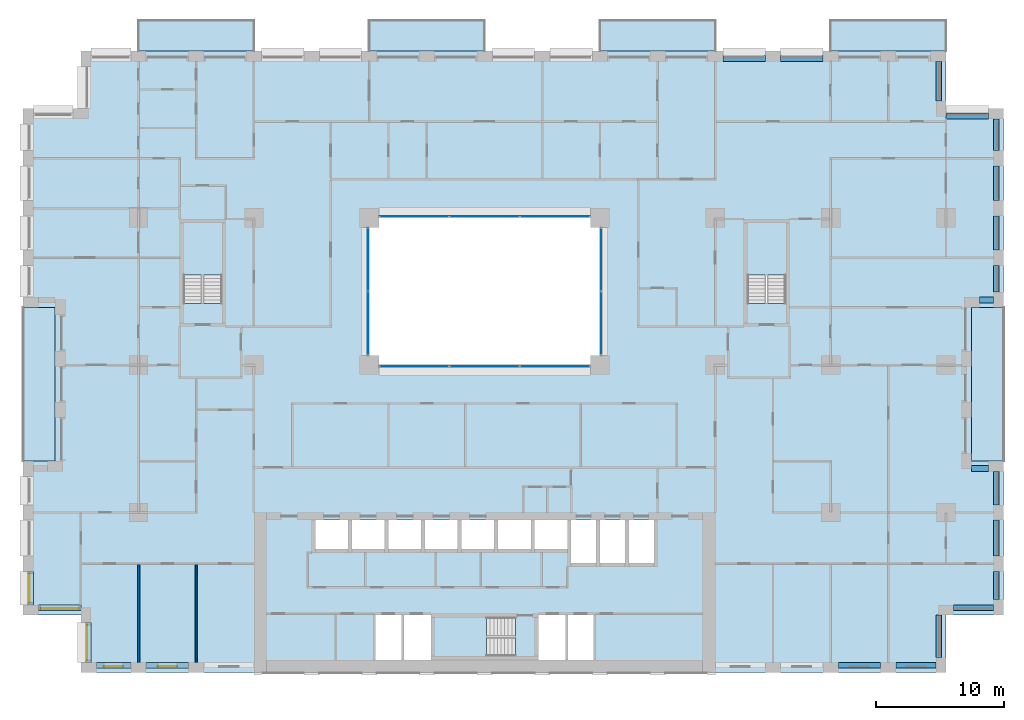
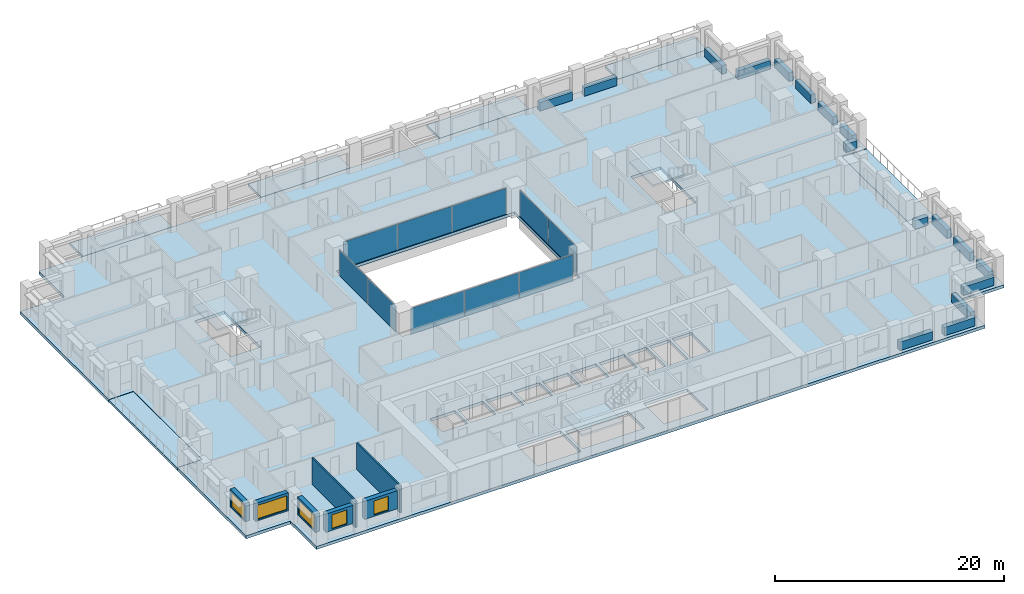
# One storey, part 8 of 19: 17 beams, 10 plates, 10 slabs, 7 walls, 5 windows, 5 openings, 7 elements without a shape of their own.
"""IFC4 building model written with IfcOpenShell, lengths in metres."""

from ifc_helpers import new_model, si_unit, direction, frame, frame_2d, origin, origin_2d, place, context, subcontext, project, spatial, polyline, rectangle, outline, extrude, material, layer, layer_set, material_profile, profile_set, type_object, element, fill, aggregate, save


model = new_model("IFC4")

# Units and contexts
model_context = context("Model", 3, precision=1e-05, world=origin(), true_north=direction((0.0, 1.0)))
body_context = subcontext(model_context, "Body", "Model", "MODEL_VIEW")
ifc_project = project(units=[si_unit("LENGTHUNIT", "METRE"), si_unit("AREAUNIT", "SQUARE_METRE"), si_unit("VOLUMEUNIT", "CUBIC_METRE"), si_unit("PLANEANGLEUNIT", "RADIAN"), si_unit("MASSUNIT", "GRAM", prefix="KILO")], contexts=[model_context])

# Site, building, storey
site_placement = place(None, origin())
site = spatial("IfcSite", under=ifc_project, at=site_placement, CompositionType="ELEMENT")
building_placement = place(site_placement, origin())
building = spatial("IfcBuilding", under=site, at=building_placement, Name="Brigalow Station Residences", CompositionType="ELEMENT")
storey_placement = place(building_placement, frame((0.0, 0.0, 28.949951171875)))
storey = spatial("IfcBuildingStorey", under=building, at=storey_placement, Name="L07", CompositionType="ELEMENT", Elevation=28.949951171875)

# Beams
ifc_material_1 = material(Name="Concrete C65", Category="concrete")
ifc_material_profile = material_profile(ifc_material_1, rectangle(XDim=0.449951171875, YDim=0.89990234375, at=origin_2d()), Name="RC450x900")
ifc_profile_set = profile_set([ifc_material_profile], Name="Concrete C65")
beam_type = type_object("IfcBeamType", Name="SPANDREL BEAM 450x900 C65", PredefinedType="SPANDREL", material=ifc_profile_set)
beam_1_placement = place(storey_placement, frame((63.60009765625, 0.574951171875, 0.449951171875), z_axis=(1.0, 0.0, 0.0), x_axis=(0.0, 1.0, 0.0)))
element("IfcBeam", 1, at=beam_1_placement, inside=storey, type_object=beam_type, Name="L07/spandrel/W-L07-7", PredefinedType="SPANDREL", context=body_context, shape_type="SweptSolid", body=[
    extrude(rectangle(XDim=0.449951171875, YDim=0.89990234375, at=origin_2d()), origin(), (0.0, 0.0, 1.0), 3.2998046875),
])
beam_2_placement = place(storey_placement, frame((68.10009765625, 0.574951171875, 0.449951171875), z_axis=(1.0, 0.0, 0.0), x_axis=(0.0, 1.0, 0.0)))
element("IfcBeam", 2, at=beam_2_placement, inside=storey, type_object=beam_type, Name="L07/spandrel/W-L07-8", PredefinedType="SPANDREL", context=body_context, shape_type="SweptSolid", body=[
    extrude(rectangle(XDim=0.449951171875, YDim=0.89990234375, at=origin_2d()), origin(), (0.0, 0.0, 1.0), 3.099853515625),
])
beam_3_placement = place(storey_placement, frame((71.425048828125, 1.199951171875, 0.449951171875), z_axis=(0.0, 1.0, 0.0), x_axis=(-1.0, 0.0, 0.0)))
element("IfcBeam", 3, at=beam_3_placement, inside=storey, type_object=beam_type, Name="L07/spandrel/W-L07-9", PredefinedType="SPANDREL", context=body_context, shape_type="SweptSolid", body=[
    extrude(rectangle(XDim=0.449951171875, YDim=0.89990234375, at=origin_2d()), origin(), (0.0, 0.0, 1.0), 3.300048828125),
])
beam_4_placement = place(storey_placement, frame((72.60009765625, 5.074951171875, 0.449951171875), z_axis=(1.0, 0.0, 0.0), x_axis=(0.0, 1.0, 0.0)))
element("IfcBeam", 4, at=beam_4_placement, inside=storey, type_object=beam_type, Name="L07/spandrel/W-L07-10", PredefinedType="SPANDREL", context=body_context, shape_type="SweptSolid", body=[
    extrude(rectangle(XDim=0.449951171875, YDim=0.89990234375, at=origin_2d()), origin(), (0.0, 0.0, 1.0), 3.099853515625),
])
beam_5_placement = place(storey_placement, frame((75.925048828125, 5.699951171875, 0.449951171875), z_axis=(0.0, 1.0, 0.0), x_axis=(-1.0, 0.0, 0.0)))
element("IfcBeam", 5, at=beam_5_placement, inside=storey, type_object=beam_type, Name="L07/spandrel/W-L07-11", PredefinedType="SPANDREL", context=body_context, shape_type="SweptSolid", body=[
    extrude(rectangle(XDim=0.449951171875, YDim=0.89990234375, at=origin_2d()), origin(), (0.0, 0.0, 1.0), 2.199951171875),
])
beam_6_placement = place(storey_placement, frame((75.925048828125, 9.10009765625, 0.449951171875), z_axis=(0.0, 1.0, 0.0), x_axis=(-1.0, 0.0, 0.0)))
element("IfcBeam", 6, at=beam_6_placement, inside=storey, type_object=beam_type, Name="L07/spandrel/W-L07-12", PredefinedType="SPANDREL", context=body_context, shape_type="SweptSolid", body=[
    extrude(rectangle(XDim=0.449951171875, YDim=0.89990234375, at=origin_2d()), origin(), (0.0, 0.0, 1.0), 2.7998046875),
])
beam_7_placement = place(storey_placement, frame((75.925048828125, 13.10009765625, 0.449951171875), z_axis=(0.0, 1.0, 0.0), x_axis=(-1.0, 0.0, 0.0)))
element("IfcBeam", 7, at=beam_7_placement, inside=storey, type_object=beam_type, Name="L07/spandrel/W-L07-13", PredefinedType="SPANDREL", context=body_context, shape_type="SweptSolid", body=[
    extrude(rectangle(XDim=0.449951171875, YDim=0.89990234375, at=origin_2d()), origin(), (0.0, 0.0, 1.0), 2.599853515625),
])
beam_8_placement = place(storey_placement, frame((75.300048828125, 15.925048828125, 0.449951171875), z_axis=(-1.0, 0.0, 0.0), x_axis=(0.0, -1.0, 0.0)))
element("IfcBeam", 8, at=beam_8_placement, inside=storey, type_object=beam_type, Name="L07/spandrel/W-L07-14", PredefinedType="SPANDREL", context=body_context, shape_type="SweptSolid", body=[
    extrude(rectangle(XDim=0.449951171875, YDim=0.89990234375, at=origin_2d()), origin(), (0.0, 0.0, 1.0), 1.300048828125),
])
beam_9_placement = place(storey_placement, frame((74.60009765625, 29.074951171875, 0.449951171875), z_axis=(1.0, 0.0, 0.0), x_axis=(0.0, 1.0, 0.0)))
element("IfcBeam", 9, at=beam_9_placement, inside=storey, type_object=beam_type, Name="L07/spandrel/W-L07-18", PredefinedType="SPANDREL", context=body_context, shape_type="SweptSolid", body=[
    extrude(rectangle(XDim=0.449951171875, YDim=0.89990234375, at=origin_2d()), origin(), (0.0, 0.0, 1.0), 1.099853515625),
])
beam_10_placement = place(storey_placement, frame((75.925048828125, 29.699951171875, 0.449951171875), z_axis=(0.0, 1.0, 0.0), x_axis=(-1.0, 0.0, 0.0)))
element("IfcBeam", 10, at=beam_10_placement, inside=storey, type_object=beam_type, Name="L07/spandrel/W-L07-19", PredefinedType="SPANDREL", context=body_context, shape_type="SweptSolid", body=[
    extrude(rectangle(XDim=0.449951171875, YDim=0.89990234375, at=origin_2d()), origin(), (0.0, 0.0, 1.0), 2.074951171875),
])
for number, where, z_axis, x_axis, name in (
    (11, (75.925048828125, 32.97509765625, 0.449951171875), (0.0, 1.0, 0.0), (-1.0, 0.0, 0.0), "L07/spandrel/W-L07-20"),
    (12, (75.925048828125, 36.85009765625, 0.449951171875), (0.0, 1.0, 0.0), (-1.0, 0.0, 0.0), "L07/spandrel/W-L07-21"),
):
    element("IfcBeam", number, at=place(storey_placement, frame(where, z_axis=z_axis, x_axis=x_axis)), inside=storey, type_object=beam_type, Name=name, PredefinedType="SPANDREL", context=body_context, shape_type="SweptSolid", body=[
        extrude(rectangle(XDim=0.449951171875, YDim=0.89990234375, at=origin_2d()), origin(), (0.0, 0.0, 1.0), 2.6748046875),
    ])
beam_11_placement = place(storey_placement, frame((75.925048828125, 40.72509765625, 0.449951171875), z_axis=(0.0, 1.0, 0.0), x_axis=(-1.0, 0.0, 0.0)))
element("IfcBeam", 13, at=beam_11_placement, inside=storey, type_object=beam_type, Name="L07/spandrel/W-L07-22", PredefinedType="SPANDREL", context=body_context, shape_type="SweptSolid", body=[
    extrude(rectangle(XDim=0.449951171875, YDim=0.89990234375, at=origin_2d()), origin(), (0.0, 0.0, 1.0), 2.474853515625),
])
beam_12_placement = place(storey_placement, frame((75.300048828125, 43.425048828125, 0.449951171875), z_axis=(-1.0, 0.0, 0.0), x_axis=(0.0, -1.0, 0.0)))
element("IfcBeam", 14, at=beam_12_placement, inside=storey, type_object=beam_type, Name="L07/spandrel/W-L07-23", PredefinedType="SPANDREL", context=body_context, shape_type="SweptSolid", body=[
    extrude(rectangle(XDim=0.449951171875, YDim=0.89990234375, at=origin_2d()), origin(), (0.0, 0.0, 1.0), 3.300048828125),
])
beam_13_placement = place(storey_placement, frame((71.425048828125, 44.60009765625, 0.449951171875), z_axis=(0.0, 1.0, 0.0), x_axis=(-1.0, 0.0, 0.0)))
element("IfcBeam", 15, at=beam_13_placement, inside=storey, type_object=beam_type, Name="L07/spandrel/W-L07-24", PredefinedType="SPANDREL", context=body_context, shape_type="SweptSolid", body=[
    extrude(rectangle(XDim=0.449951171875, YDim=0.89990234375, at=origin_2d()), origin(), (0.0, 0.0, 1.0), 3.099853515625),
])
for number, where, z_axis, x_axis, name in (
    (16, (62.39990234375, 47.925048828125, 0.449951171875), (-1.0, 0.0, 0.0), (0.0, -1.0, 0.0), "L07/spandrel/W-L07-27"),
    (17, (57.89990234375, 47.925048828125, 0.449951171875), (-1.0, 0.0, 0.0), (0.0, -1.0, 0.0), "L07/spandrel/W-L07-28"),
):
    element("IfcBeam", number, at=place(storey_placement, frame(where, z_axis=z_axis, x_axis=x_axis)), inside=storey, type_object=beam_type, Name=name, PredefinedType="SPANDREL", context=body_context, shape_type="SweptSolid", body=[
        extrude(rectangle(XDim=0.449951171875, YDim=0.89990234375, at=origin_2d()), origin(), (0.0, 0.0, 1.0), 3.2998046875),
    ])

# Curtain wall, plates
ifc_material_2 = material(Name="Aluminium", Category="aluminium")
ifc_layer_1 = layer(ifc_material_2, 0.14990234375)
ifc_layer_set_1 = layer_set([ifc_layer_1], Name="ATRIUM FIRE-RATED GLAZING CURTAIN WALL")
curtain_wall_type = type_object("IfcCurtainWallType", Name="ATRIUM FIRE-RATED GLAZING CURTAIN WALL", PredefinedType="NOTDEFINED", material=ifc_layer_set_1)
curtain_wall_1_placement = place(storey_placement, origin())
curtain_wall_1 = element("IfcCurtainWall", 18, at=curtain_wall_1_placement, inside=storey, type_object=curtain_wall_type, Name="L07/cw/atrium-S", PredefinedType="NOTDEFINED")
ifc_material_3 = material(Name="Fire-resisting laminated glazing, FRL -/60/-", Category="glass")
ifc_layer_2 = layer(ifc_material_3, 0.031982421875)
ifc_layer_set_2 = layer_set([ifc_layer_2], Name="ATRIUM FIRE-RATED GLAZING PANEL 32")
plate_type = type_object("IfcPlateType", Name="ATRIUM FIRE-RATED GLAZING PANEL 32", PredefinedType="CURTAIN_PANEL", material=ifc_layer_set_2)
plate_1_placement = place(storey_placement, frame((30.514892578125, 23.89990234375, 0.0), z_axis=(0.0, 0.0, 1.0), x_axis=(1.0, 0.0, 0.0)))
plate_1 = element("IfcPlate", 19, at=plate_1_placement, type_object=plate_type, Name="L07/cw/atrium-S/P00-00", PredefinedType="CURTAIN_PANEL", context=body_context, shape_type="SweptSolid", body=[
    extrude(rectangle(XDim=5.409912109375, YDim=0.031982421875, at=origin_2d()), origin(), (0.0, 0.0, 1.0), 2.77001953125),
])
plate_2_placement = place(storey_placement, frame((36.0, 23.89990234375, 0.0), z_axis=(0.0, 0.0, 1.0), x_axis=(1.0, 0.0, 0.0)))
plate_2 = element("IfcPlate", 20, at=plate_2_placement, type_object=plate_type, Name="L07/cw/atrium-S/P01-00", PredefinedType="CURTAIN_PANEL", context=body_context, shape_type="SweptSolid", body=[
    extrude(rectangle(XDim=5.43994140625, YDim=0.031982421875, at=origin_2d()), origin(), (0.0, 0.0, 1.0), 2.77001953125),
])
plate_3_placement = place(storey_placement, frame((41.485107421875, 23.89990234375, 0.0), z_axis=(0.0, 0.0, 1.0), x_axis=(1.0, 0.0, 0.0)))
plate_3 = element("IfcPlate", 21, at=plate_3_placement, type_object=plate_type, Name="L07/cw/atrium-S/P02-00", PredefinedType="CURTAIN_PANEL", context=body_context, shape_type="SweptSolid", body=[
    extrude(rectangle(XDim=5.409912109375, YDim=0.031982421875, at=origin_2d()), origin(), (0.0, 0.0, 1.0), 2.77001953125),
])
aggregate(curtain_wall_1, [plate_1, plate_2, plate_3])

curtain_wall_2_placement = place(storey_placement, origin())
curtain_wall_2 = element("IfcCurtainWall", 22, at=curtain_wall_2_placement, inside=storey, type_object=curtain_wall_type, Name="L07/cw/atrium-E", PredefinedType="NOTDEFINED")
plate_4_placement = place(storey_placement, frame((45.10009765625, 27.264892578125, 0.0), z_axis=(0.0, 0.0, 1.0), x_axis=(0.0, 1.0, 0.0)))
plate_4 = element("IfcPlate", 23, at=plate_4_placement, type_object=plate_type, Name="L07/cw/atrium-E/P00-00", PredefinedType="CURTAIN_PANEL", context=body_context, shape_type="SweptSolid", body=[
    extrude(rectangle(XDim=4.909912109375, YDim=0.031982421875, at=origin_2d()), origin(), (0.0, 0.0, 1.0), 2.77001953125),
])
plate_5_placement = place(storey_placement, frame((45.10009765625, 32.235107421875, 0.0), z_axis=(0.0, 0.0, 1.0), x_axis=(0.0, 1.0, 0.0)))
plate_5 = element("IfcPlate", 24, at=plate_5_placement, type_object=plate_type, Name="L07/cw/atrium-E/P01-00", PredefinedType="CURTAIN_PANEL", context=body_context, shape_type="SweptSolid", body=[
    extrude(rectangle(XDim=4.909912109375, YDim=0.031982421875, at=origin_2d()), origin(), (0.0, 0.0, 1.0), 2.77001953125),
])
aggregate(curtain_wall_2, [plate_4, plate_5])

curtain_wall_3_placement = place(storey_placement, origin())
curtain_wall_3 = element("IfcCurtainWall", 25, at=curtain_wall_3_placement, inside=storey, type_object=curtain_wall_type, Name="L07/cw/atrium-N", PredefinedType="NOTDEFINED")
plate_6_placement = place(storey_placement, frame((41.485107421875, 35.60009765625, 0.0), z_axis=(0.0, 0.0, 1.0), x_axis=(-1.0, 0.0, 0.0)))
plate_6 = element("IfcPlate", 26, at=plate_6_placement, type_object=plate_type, Name="L07/cw/atrium-N/P00-00", PredefinedType="CURTAIN_PANEL", context=body_context, shape_type="SweptSolid", body=[
    extrude(rectangle(XDim=5.409912109375, YDim=0.031982421875, at=origin_2d()), origin(), (0.0, 0.0, 1.0), 2.77001953125),
])
plate_7_placement = place(storey_placement, frame((36.0, 35.60009765625, 0.0), z_axis=(0.0, 0.0, 1.0), x_axis=(-1.0, 0.0, 0.0)))
plate_7 = element("IfcPlate", 27, at=plate_7_placement, type_object=plate_type, Name="L07/cw/atrium-N/P01-00", PredefinedType="CURTAIN_PANEL", context=body_context, shape_type="SweptSolid", body=[
    extrude(rectangle(XDim=5.43994140625, YDim=0.031982421875, at=origin_2d()), origin(), (0.0, 0.0, 1.0), 2.77001953125),
])
plate_8_placement = place(storey_placement, frame((30.514892578125, 35.60009765625, 0.0), z_axis=(0.0, 0.0, 1.0), x_axis=(-1.0, 0.0, 0.0)))
plate_8 = element("IfcPlate", 28, at=plate_8_placement, type_object=plate_type, Name="L07/cw/atrium-N/P02-00", PredefinedType="CURTAIN_PANEL", context=body_context, shape_type="SweptSolid", body=[
    extrude(rectangle(XDim=5.409912109375, YDim=0.031982421875, at=origin_2d()), origin(), (0.0, 0.0, 1.0), 2.77001953125),
])
aggregate(curtain_wall_3, [plate_6, plate_7, plate_8])

curtain_wall_4_placement = place(storey_placement, origin())
curtain_wall_4 = element("IfcCurtainWall", 29, at=curtain_wall_4_placement, inside=storey, type_object=curtain_wall_type, Name="L07/cw/atrium-W", PredefinedType="NOTDEFINED")
plate_9_placement = place(storey_placement, frame((26.89990234375, 32.235107421875, 0.0), z_axis=(0.0, 0.0, 1.0), x_axis=(0.0, -1.0, 0.0)))
plate_9 = element("IfcPlate", 30, at=plate_9_placement, type_object=plate_type, Name="L07/cw/atrium-W/P00-00", PredefinedType="CURTAIN_PANEL", context=body_context, shape_type="SweptSolid", body=[
    extrude(rectangle(XDim=4.909912109375, YDim=0.031982421875, at=origin_2d()), origin(), (0.0, 0.0, 1.0), 2.77001953125),
])
plate_10_placement = place(storey_placement, frame((26.89990234375, 27.264892578125, 0.0), z_axis=(0.0, 0.0, 1.0), x_axis=(0.0, -1.0, 0.0)))
plate_10 = element("IfcPlate", 31, at=plate_10_placement, type_object=plate_type, Name="L07/cw/atrium-W/P01-00", PredefinedType="CURTAIN_PANEL", context=body_context, shape_type="SweptSolid", body=[
    extrude(rectangle(XDim=4.909912109375, YDim=0.031982421875, at=origin_2d()), origin(), (0.0, 0.0, 1.0), 2.77001953125),
])
aggregate(curtain_wall_4, [plate_9, plate_10])

# Slabs
ifc_material_4 = material(Name="Concrete C50 precast", Category="concrete")
ifc_layer_3 = layer(ifc_material_4, 0.25)
ifc_layer_set_3 = layer_set([ifc_layer_3], Name="BALCONY SLAB 250")
slab_type_1 = type_object("IfcSlabType", Name="BALCONY SLAB 250", PredefinedType="USERDEFINED", material=ifc_layer_set_3)
slab_1_placement = place(storey_placement, frame((0.0, 0.0, -0.2900390625)))
element("IfcSlab", 32, at=slab_1_placement, inside=storey, type_object=slab_type_1, Name="L07/balcony/1", ObjectType="BALCONY", PredefinedType="USERDEFINED", context=body_context, shape_type="SweptSolid", body=[
    extrude(outline(polyline([(74.0, 16.5), (76.5, 16.5), (76.5, 28.5), (74.0, 28.5), (74.0, 16.5)])), origin(), (0.0, 0.0, 1.0), 0.25),
])
slab_2_placement = place(storey_placement, frame((0.0, 0.0, -0.2900390625)))
element("IfcSlab", 33, at=slab_2_placement, inside=storey, type_object=slab_type_1, Name="L07/balcony/2", ObjectType="BALCONY", PredefinedType="USERDEFINED", context=body_context, shape_type="SweptSolid", body=[
    extrude(outline(polyline([(72.0, 48.5), (72.0, 50.89990234375), (63.0, 50.89990234375), (63.0, 48.5), (72.0, 48.5)])), origin(), (0.0, 0.0, 1.0), 0.25),
])
slab_3_placement = place(storey_placement, frame((0.0, 0.0, -0.2900390625)))
element("IfcSlab", 34, at=slab_3_placement, inside=storey, type_object=slab_type_1, Name="L07/balcony/3", ObjectType="BALCONY", PredefinedType="USERDEFINED", context=body_context, shape_type="SweptSolid", body=[
    extrude(outline(polyline([(54.0, 48.5), (54.0, 50.89990234375), (45.0, 50.89990234375), (45.0, 48.5), (54.0, 48.5)])), origin(), (0.0, 0.0, 1.0), 0.25),
])
slab_4_placement = place(storey_placement, frame((0.0, 0.0, -0.2900390625)))
element("IfcSlab", 35, at=slab_4_placement, inside=storey, type_object=slab_type_1, Name="L07/balcony/4", ObjectType="BALCONY", PredefinedType="USERDEFINED", context=body_context, shape_type="SweptSolid", body=[
    extrude(outline(polyline([(36.0, 48.5), (36.0, 50.89990234375), (27.0, 50.89990234375), (27.0, 48.5), (36.0, 48.5)])), origin(), (0.0, 0.0, 1.0), 0.25),
])
slab_5_placement = place(storey_placement, frame((0.0, 0.0, -0.2900390625)))
element("IfcSlab", 36, at=slab_5_placement, inside=storey, type_object=slab_type_1, Name="L07/balcony/5", ObjectType="BALCONY", PredefinedType="USERDEFINED", context=body_context, shape_type="SweptSolid", body=[
    extrude(outline(polyline([(18.0, 48.5), (18.0, 50.89990234375), (9.0, 50.89990234375), (9.0, 48.5), (18.0, 48.5)])), origin(), (0.0, 0.0, 1.0), 0.25),
])
slab_6_placement = place(storey_placement, frame((0.0, 0.0, -0.2900390625)))
element("IfcSlab", 37, at=slab_6_placement, inside=storey, type_object=slab_type_1, Name="L07/balcony/6", ObjectType="BALCONY", PredefinedType="USERDEFINED", context=body_context, shape_type="SweptSolid", body=[
    extrude(outline(polyline([(2.5, 28.5), (0.0, 28.5), (0.0, 16.5), (2.5, 16.5), (2.5, 28.5)])), origin(), (0.0, 0.0, 1.0), 0.25),
])
ifc_material_5 = material(Name="Concrete C50", Category="concrete")
ifc_layer_4 = layer(ifc_material_5, 0.320068359375)
ifc_layer_set_4 = layer_set([ifc_layer_4], Name="POST-TENSIONED FLAT PLATE 320 C50")
slab_type_2 = type_object("IfcSlabType", Name="POST-TENSIONED FLAT PLATE 320 C50", PredefinedType="FLOOR", material=ifc_layer_set_4)
slab_7_placement = place(storey_placement, frame((0.0, 0.0, -0.320068359375)))
element("IfcSlab", 38, at=slab_7_placement, inside=storey, type_object=slab_type_2, Name="FLOOR SLAB L07", PredefinedType="FLOOR", context=body_context, shape_type="SweptSolid", body=[
    extrude(outline(polyline([(4.5, 0.0), (72.0, 0.0), (72.0, 4.5), (76.5, 4.5), (76.5, 16.5), (74.0, 16.5), (74.0, 28.5), (76.5, 28.5), (76.5, 44.0), (72.0, 44.0), (72.0, 48.5), (4.5, 48.5), (4.5, 44.0), (0.0, 44.0), (0.0, 28.5), (2.5, 28.5), (2.5, 16.5), (0.0, 16.5), (0.0, 4.5), (4.5, 4.5), (4.5, 0.0)]), holes=[polyline([(15.4951171875, 35.094970703125), (15.4951171875, 28.804931640625), (12.5048828125, 28.804931640625), (12.5048828125, 35.094970703125), (15.4951171875, 35.094970703125)]), polyline([(22.800048828125, 11.89990234375), (25.35009765625, 11.89990234375), (25.35009765625, 9.64990234375), (22.800048828125, 9.64990234375), (22.800048828125, 11.89990234375)]), polyline([(25.64990234375, 11.89990234375), (28.199951171875, 11.89990234375), (28.199951171875, 9.64990234375), (25.64990234375, 9.64990234375), (25.64990234375, 11.89990234375)]), polyline([(28.5, 11.89990234375), (31.050048828125, 11.89990234375), (31.050048828125, 9.64990234375), (28.5, 9.64990234375), (28.5, 11.89990234375)]), polyline([(29.60009765625, 1.0), (27.39990234375, 1.0), (27.39990234375, 4.60009765625), (29.60009765625, 4.60009765625), (31.800048828125, 4.60009765625), (31.800048828125, 1.0), (29.60009765625, 1.0)]), polyline([(31.35009765625, 11.89990234375), (33.89990234375, 11.89990234375), (33.89990234375, 9.64990234375), (31.35009765625, 9.64990234375), (31.35009765625, 11.89990234375)]), polyline([(32.10498046875, 4.294921875), (38.39501953125, 4.294921875), (38.39501953125, 1.304931640625), (32.10498046875, 1.304931640625), (32.10498046875, 4.294921875)]), polyline([(36.75, 11.89990234375), (36.75, 9.64990234375), (34.199951171875, 9.64990234375), (34.199951171875, 11.89990234375), (36.75, 11.89990234375)]), polyline([(37.050048828125, 11.89990234375), (39.60009765625, 11.89990234375), (39.60009765625, 9.64990234375), (37.050048828125, 9.64990234375), (37.050048828125, 11.89990234375)]), polyline([(39.89990234375, 11.89990234375), (42.449951171875, 11.89990234375), (42.449951171875, 9.64990234375), (39.89990234375, 9.64990234375), (39.89990234375, 11.89990234375)]), polyline([(42.39990234375, 1.0), (40.199951171875, 1.0), (40.199951171875, 4.60009765625), (42.39990234375, 4.60009765625), (44.60009765625, 4.60009765625), (44.60009765625, 1.0), (42.39990234375, 1.0)]), polyline([(42.75, 11.89990234375), (44.699951171875, 11.89990234375), (44.699951171875, 8.550048828125), (42.75, 8.550048828125), (42.75, 11.89990234375)]), polyline([(45.0, 11.89990234375), (46.949951171875, 11.89990234375), (46.949951171875, 8.550048828125), (45.0, 8.550048828125), (45.0, 11.89990234375)]), polyline([(45.0, 35.5), (45.0, 24.0), (27.0, 24.0), (27.0, 35.5), (45.0, 35.5)]), polyline([(47.25, 11.89990234375), (49.199951171875, 11.89990234375), (49.199951171875, 8.550048828125), (47.25, 8.550048828125), (47.25, 11.89990234375)]), polyline([(59.4951171875, 35.094970703125), (59.4951171875, 28.804931640625), (56.5048828125, 28.804931640625), (56.5048828125, 35.094970703125), (59.4951171875, 35.094970703125)])]), origin(), (0.0, 0.0, 1.0), 0.320068359375),
])

# Stair, slab
ifc_material_6 = material(Name="Concrete C50", Category="concrete")
stair_type = type_object("IfcStairType", Name="EXIT STAIR 1400 2 FLIGHT", PredefinedType="HALF_TURN_STAIR", material=ifc_material_6)
stair_1_placement = place(storey_placement, origin())
stair_1 = element("IfcStair", 39, at=stair_1_placement, inside=storey, type_object=stair_type, Name="EXIT STAIR S2 L07", PredefinedType="HALF_TURN_STAIR")
ifc_material_7 = material(Name="Concrete C50", Category="concrete")
ifc_layer_5 = layer(ifc_material_7, 0.199951171875)
ifc_layer_set_5 = layer_set([ifc_layer_5], Name="STAIR LANDING 200")
slab_type_3 = type_object("IfcSlabType", Name="STAIR LANDING 200", PredefinedType="LANDING", material=ifc_layer_set_5)
slab_8_placement = place(storey_placement, frame((0.0, 0.0, 1.375)))
slab_8 = element("IfcSlab", 40, at=slab_8_placement, type_object=slab_type_3, Name="ST-2 landing 1", PredefinedType="LANDING", context=body_context, shape_type="SweptSolid", body=[
    extrude(outline(polyline([(32.0, 1.199951171875), (36.159912109375, 1.199951171875), (36.159912109375, 4.39990234375), (32.0, 4.39990234375), (32.0, 1.199951171875)])), origin(), (0.0, 0.0, 1.0), 0.199951171875),
])
aggregate(stair_1, [slab_8])

stair_2_placement = place(storey_placement, origin())
stair_2 = element("IfcStair", 41, at=stair_2_placement, inside=storey, type_object=stair_type, Name="EXIT STAIR S1 L07", PredefinedType="HALF_TURN_STAIR")
slab_9_placement = place(storey_placement, frame((0.0, 0.0, 1.375)))
slab_9 = element("IfcSlab", 42, at=slab_9_placement, type_object=slab_type_3, Name="ST-1 landing 1", PredefinedType="LANDING", context=body_context, shape_type="SweptSolid", body=[
    extrude(outline(polyline([(12.39990234375, 31.0400390625), (15.60009765625, 31.0400390625), (15.60009765625, 35.199951171875), (12.39990234375, 35.199951171875), (12.39990234375, 31.0400390625)])), origin(), (0.0, 0.0, 1.0), 0.199951171875),
])
aggregate(stair_2, [slab_9])

stair_3_placement = place(storey_placement, origin())
stair_3 = element("IfcStair", 43, at=stair_3_placement, inside=storey, type_object=stair_type, Name="EXIT STAIR S3 L07", PredefinedType="HALF_TURN_STAIR")
slab_10_placement = place(storey_placement, frame((0.0, 0.0, 1.375)))
slab_10 = element("IfcSlab", 44, at=slab_10_placement, type_object=slab_type_3, Name="ST-3 landing 1", PredefinedType="LANDING", context=body_context, shape_type="SweptSolid", body=[
    extrude(outline(polyline([(56.39990234375, 31.0400390625), (59.60009765625, 31.0400390625), (59.60009765625, 35.199951171875), (56.39990234375, 35.199951171875), (56.39990234375, 31.0400390625)])), origin(), (0.0, 0.0, 1.0), 0.199951171875),
])
aggregate(stair_3, [slab_10])

# Wall, opening, window
ifc_material_8 = material(Name="Clay brick masonry", Category="masonry")
ifc_layer_6 = layer(ifc_material_8, 0.449951171875)
ifc_layer_set_6 = layer_set([ifc_layer_6], Name="BRICK INFILL WALL 450")
wall_type_1 = type_object("IfcWallType", Name="BRICK INFILL WALL 450", PredefinedType="SOLIDWALL", material=ifc_layer_set_6)
wall_1_placement = place(storey_placement, frame((5.699951171875, 0.574951171875, 0.900146484375), z_axis=(0.0, 0.0, 1.0), x_axis=(1.0, 0.0, 0.0)))
wall_1 = element("IfcWall", 45, at=wall_1_placement, inside=storey, type_object=wall_type_1, Name="L07/ewall/W-L07-1", PredefinedType="SOLIDWALL", context=body_context, shape_type="SweptSolid", body=[
    extrude(rectangle(XDim=2.699951171875, YDim=0.449951171875, at=frame_2d((1.35009765625, 0.0))), origin(), (0.0, 0.0, 1.0), 1.929931640625),
])
opening_1_placement = place(wall_1_placement, frame((0.60009765625, 0.0, 0.14990234375)))
opening_1 = element("IfcOpeningElement", 46, at=opening_1_placement, cuts=wall_1, Name="Opening WT-1", PredefinedType="OPENING", context=body_context, shape_type="SweptSolid", body=[
    extrude(rectangle(XDim=1.5, YDim=1.5, at=frame_2d((0.75, 0.75))), frame((0.0, 0.23486328125, 0.0), z_axis=(0.0, -1.0, 0.0), x_axis=(1.0, 0.0, 0.0)), (0.0, 0.0, 1.0), 0.469970703125),
])
ifc_material_9 = material(Name="Anodised aluminium frame with double glazing", Category="aluminium")
window_type_1 = type_object("IfcWindowType", Name="WINDOW 1500x1500", PartitioningType="SINGLE_PANEL", PredefinedType="WINDOW", material=ifc_material_9)
window_1_placement = place(opening_1_placement, origin())
window_1 = element("IfcWindow", 47, at=window_1_placement, inside=storey, type_object=window_type_1, Name="L07/window/W-L07-1", OverallHeight=1.5, OverallWidth=1.5, PartitioningType="SINGLE_PANEL", PredefinedType="WINDOW", context=body_context, shape_type="SweptSolid", body=[
    extrude(rectangle(XDim=1.5, YDim=1.5, at=frame_2d((0.75, 0.75))), frame((0.0, -0.06494140625, 0.0), z_axis=(0.0, -1.0, 0.0), x_axis=(1.0, 0.0, 0.0)), (0.0, 0.0, 1.0), 0.06005859375),
])
fill(opening_1, window_1)

wall_2_placement = place(storey_placement, frame((9.60009765625, 0.574951171875, 0.900146484375), z_axis=(0.0, 0.0, 1.0), x_axis=(1.0, 0.0, 0.0)))
wall_2 = element("IfcWall", 48, at=wall_2_placement, inside=storey, type_object=wall_type_1, Name="L07/ewall/W-L07-2", PredefinedType="SOLIDWALL", context=body_context, shape_type="SweptSolid", body=[
    extrude(rectangle(XDim=3.2998046875, YDim=0.449951171875, at=frame_2d((1.64990234375, 0.0))), origin(), (0.0, 0.0, 1.0), 1.929931640625),
])
opening_2_placement = place(wall_2_placement, frame((0.89990234375, 0.0, 0.14990234375)))
opening_2 = element("IfcOpeningElement", 49, at=opening_2_placement, cuts=wall_2, Name="Opening WT-1", PredefinedType="OPENING", context=body_context, shape_type="SweptSolid", body=[
    extrude(rectangle(XDim=1.5, YDim=1.5, at=frame_2d((0.75, 0.75))), frame((0.0, 0.23486328125, 0.0), z_axis=(0.0, -1.0, 0.0), x_axis=(1.0, 0.0, 0.0)), (0.0, 0.0, 1.0), 0.469970703125),
])
window_2_placement = place(opening_2_placement, origin())
window_2 = element("IfcWindow", 50, at=window_2_placement, inside=storey, type_object=window_type_1, Name="L07/window/W-L07-2", OverallHeight=1.5, OverallWidth=1.5, PartitioningType="SINGLE_PANEL", PredefinedType="WINDOW", context=body_context, shape_type="SweptSolid", body=[
    extrude(rectangle(XDim=1.5, YDim=1.5, at=frame_2d((0.75, 0.75))), frame((0.0, -0.06494140625, 0.0), z_axis=(0.0, -1.0, 0.0), x_axis=(1.0, 0.0, 0.0)), (0.0, 0.0, 1.0), 0.06005859375),
])
fill(opening_2, window_2)

wall_3_placement = place(storey_placement, frame((0.574951171875, 7.89990234375, 0.900146484375), z_axis=(0.0, 0.0, 1.0), x_axis=(0.0, -1.0, 0.0)))
wall_3 = element("IfcWall", 51, at=wall_3_placement, inside=storey, type_object=wall_type_1, Name="L07/ewall/W-L07-53", PredefinedType="SOLIDWALL", context=body_context, shape_type="SweptSolid", body=[
    extrude(rectangle(XDim=2.599853515625, YDim=0.449951171875, at=frame_2d((1.2998046875, 0.0))), origin(), (0.0, 0.0, 1.0), 1.929931640625),
])
opening_3_placement = place(wall_3_placement, frame((0.175048828125, 0.0, 0.14990234375)))
opening_3 = element("IfcOpeningElement", 52, at=opening_3_placement, cuts=wall_3, Name="Opening WT-6", PredefinedType="OPENING", context=body_context, shape_type="SweptSolid", body=[
    extrude(rectangle(XDim=2.25, YDim=1.5, at=frame_2d((1.125, 0.75))), frame((0.0, 0.23486328125, 0.0), z_axis=(0.0, -1.0, 0.0), x_axis=(1.0, 0.0, 0.0)), (0.0, 0.0, 1.0), 0.469970703125),
])
ifc_material_10 = material(Name="Anodised aluminium frame with double glazing", Category="aluminium")
window_type_2 = type_object("IfcWindowType", Name="WINDOW 2250x1500", PartitioningType="SINGLE_PANEL", PredefinedType="WINDOW", material=ifc_material_10)
window_3_placement = place(opening_3_placement, origin())
window_3 = element("IfcWindow", 53, at=window_3_placement, inside=storey, type_object=window_type_2, Name="L07/window/W-L07-53", OverallHeight=1.5, OverallWidth=2.25, PartitioningType="SINGLE_PANEL", PredefinedType="WINDOW", context=body_context, shape_type="SweptSolid", body=[
    extrude(rectangle(XDim=2.25, YDim=1.5, at=frame_2d((1.125, 0.75))), frame((0.0, -0.06494140625, 0.0), z_axis=(0.0, -1.0, 0.0), x_axis=(1.0, 0.0, 0.0)), (0.0, 0.0, 1.0), 0.06005859375),
])
fill(opening_3, window_3)

wall_4_placement = place(storey_placement, frame((1.199951171875, 5.074951171875, 0.900146484375), z_axis=(0.0, 0.0, 1.0), x_axis=(1.0, 0.0, 0.0)))
wall_4 = element("IfcWall", 54, at=wall_4_placement, inside=storey, type_object=wall_type_1, Name="L07/ewall/W-L07-54", PredefinedType="SOLIDWALL", context=body_context, shape_type="SweptSolid", body=[
    extrude(rectangle(XDim=3.300048828125, YDim=0.449951171875, at=frame_2d((1.64990234375, 0.0))), origin(), (0.0, 0.0, 1.0), 1.929931640625),
])
opening_4_placement = place(wall_4_placement, frame((0.14990234375, 0.0, 0.14990234375)))
opening_4 = element("IfcOpeningElement", 55, at=opening_4_placement, cuts=wall_4, Name="Opening WT-2", PredefinedType="OPENING", context=body_context, shape_type="SweptSolid", body=[
    extrude(rectangle(XDim=3.0, YDim=1.5, at=frame_2d((1.5, 0.75))), frame((0.0, 0.23486328125, 0.0), z_axis=(0.0, -1.0, 0.0), x_axis=(1.0, 0.0, 0.0)), (0.0, 0.0, 1.0), 0.469970703125),
])
ifc_material_11 = material(Name="Anodised aluminium frame with double glazing", Category="aluminium")
window_type_3 = type_object("IfcWindowType", Name="WINDOW 3000x1500", PartitioningType="SINGLE_PANEL", PredefinedType="WINDOW", material=ifc_material_11)
window_4_placement = place(opening_4_placement, origin())
window_4 = element("IfcWindow", 56, at=window_4_placement, inside=storey, type_object=window_type_3, Name="L07/window/W-L07-54", OverallHeight=1.5, OverallWidth=3.0, PartitioningType="SINGLE_PANEL", PredefinedType="WINDOW", context=body_context, shape_type="SweptSolid", body=[
    extrude(rectangle(XDim=3.0, YDim=1.5, at=frame_2d((1.5, 0.75))), frame((0.0, -0.06494140625, 0.0), z_axis=(0.0, -1.0, 0.0), x_axis=(1.0, 0.0, 0.0)), (0.0, 0.0, 1.0), 0.06005859375),
])
fill(opening_4, window_4)

wall_5_placement = place(storey_placement, frame((5.074951171875, 3.89990234375, 0.900146484375), z_axis=(0.0, 0.0, 1.0), x_axis=(0.0, -1.0, 0.0)))
wall_5 = element("IfcWall", 57, at=wall_5_placement, inside=storey, type_object=wall_type_1, Name="L07/ewall/W-L07-55", PredefinedType="SOLIDWALL", context=body_context, shape_type="SweptSolid", body=[
    extrude(rectangle(XDim=3.099853515625, YDim=0.449951171875, at=frame_2d((1.5498046875, 0.0))), origin(), (0.0, 0.0, 1.0), 1.929931640625),
])
opening_5_placement = place(wall_5_placement, frame((0.175048828125, 0.0, 0.14990234375)))
opening_5 = element("IfcOpeningElement", 58, at=opening_5_placement, cuts=wall_5, Name="Opening WT-3", PredefinedType="OPENING", context=body_context, shape_type="SweptSolid", body=[
    extrude(rectangle(XDim=2.75, YDim=1.5, at=frame_2d((1.375, 0.75))), frame((0.0, 0.23486328125, 0.0), z_axis=(0.0, -1.0, 0.0), x_axis=(1.0, 0.0, 0.0)), (0.0, 0.0, 1.0), 0.469970703125),
])
ifc_material_12 = material(Name="Anodised aluminium frame with double glazing", Category="aluminium")
window_type_4 = type_object("IfcWindowType", Name="WINDOW 2750x1500", PartitioningType="SINGLE_PANEL", PredefinedType="WINDOW", material=ifc_material_12)
window_5_placement = place(opening_5_placement, origin())
window_5 = element("IfcWindow", 59, at=window_5_placement, inside=storey, type_object=window_type_4, Name="L07/window/W-L07-55", OverallHeight=1.5, OverallWidth=2.75, PartitioningType="SINGLE_PANEL", PredefinedType="WINDOW", context=body_context, shape_type="SweptSolid", body=[
    extrude(rectangle(XDim=2.75, YDim=1.5, at=frame_2d((1.375, 0.75))), frame((0.0, -0.06494140625, 0.0), z_axis=(0.0, -1.0, 0.0), x_axis=(1.0, 0.0, 0.0)), (0.0, 0.0, 1.0), 0.06005859375),
])
fill(opening_5, window_5)

# Walls
ifc_material_13 = material(Name="Plasterboard on steel stud partition", Category="steel")
ifc_layer_7 = layer(ifc_material_13, 0.14990234375)
ifc_layer_set_7 = layer_set([ifc_layer_7], Name="FLAT PARTITION 150")
wall_type_2 = type_object("IfcWallType", Name="FLAT PARTITION 150", PredefinedType="PARTITIONING", material=ifc_layer_set_7)
for number, where, z_axis, x_axis, name in (
    (60, (9.0, 0.800048828125, 0.0), (0.0, 0.0, 1.0), (0.0, 1.0, 0.0), "PW-1B50"),
    (61, (13.5, 0.800048828125, 0.0), (0.0, 0.0, 1.0), (0.0, 1.0, 0.0), "PW-1B56"),
):
    element("IfcWall", number, at=place(storey_placement, frame(where, z_axis=z_axis, x_axis=x_axis)), inside=storey, type_object=wall_type_2, Name=name, PredefinedType="PARTITIONING", context=body_context, shape_type="SweptSolid", body=[
        extrude(rectangle(XDim=7.625, YDim=0.14990234375, at=frame_2d((3.8125, 0.0))), origin(), (0.0, 0.0, 1.0), 2.830078125),
    ])

save(model, "model.ifc")
